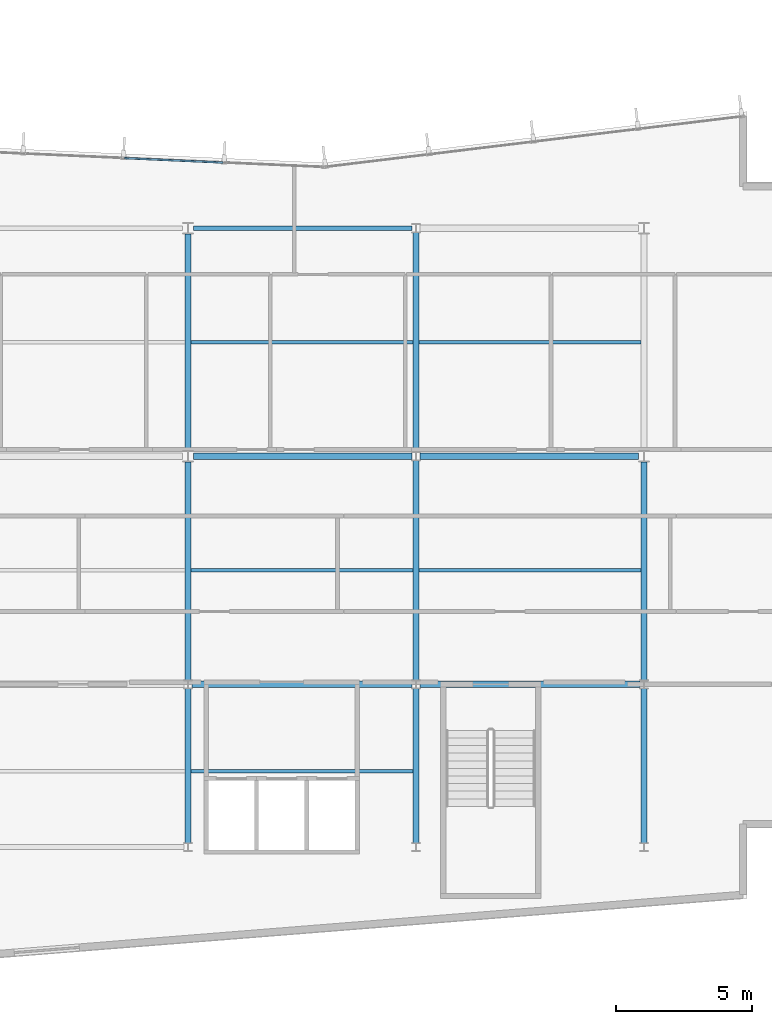
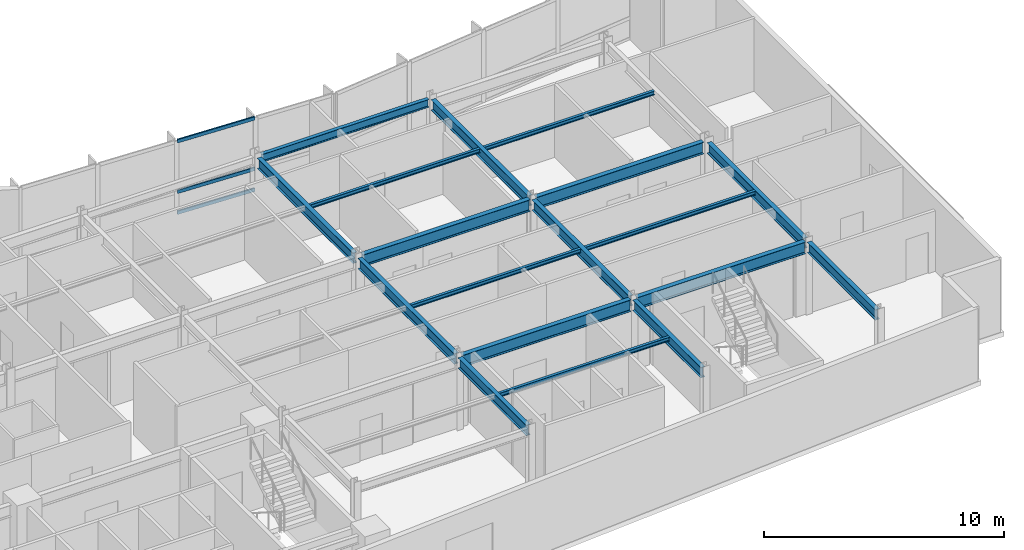
# One storey, part 6 of 18: 18 beams, 3 members, 1 element without a shape of its own.
"""IFC4 building model written with IfcOpenShell, lengths in metres."""

from ifc_helpers import new_model, si_unit, direction, frame, origin, origin_2d, place, context, subcontext, project, spatial, hollow_rectangle, i_section, extrude, material, layer, layer_set, material_profile, profile_set, type_object, element, aggregate, save


model = new_model("IFC4")

# Units and contexts
model_context = context("Model", 3, precision=1e-05, world=origin(), true_north=direction((0.0, 1.0)))
body_context = subcontext(model_context, "Body", "Model", "MODEL_VIEW")
ifc_project = project(units=[si_unit("LENGTHUNIT", "METRE"), si_unit("AREAUNIT", "SQUARE_METRE"), si_unit("VOLUMEUNIT", "CUBIC_METRE"), si_unit("PLANEANGLEUNIT", "RADIAN"), si_unit("MASSUNIT", "GRAM", prefix="KILO")], contexts=[model_context])

# Site, building, storey
site_placement = place(None, origin())
site = spatial("IfcSite", under=ifc_project, at=site_placement, CompositionType="ELEMENT")
building_placement = place(site_placement, origin())
building = spatial("IfcBuilding", under=site, at=building_placement, Name="Varnakote Quay Hospital", CompositionType="ELEMENT")
storey_placement = place(building_placement, frame((0.0, 0.0, 154.699951171875)))
storey = spatial("IfcBuildingStorey", under=building, at=storey_placement, Name="L38", CompositionType="ELEMENT", Elevation=154.699951171875)

# Beams
ifc_material_1 = material(Name="Structural steel AS/NZS 3679.1 Grade 350 L0 (fy 340 MPa)", Category="steel")
ifc_material_profile_1 = material_profile(ifc_material_1, i_section(OverallWidth=0.208984375, OverallDepth=0.532958984375, WebThickness=0.01025390625, FlangeThickness=0.015625, FilletRadius=0.013916015625, at=origin_2d()), Name="530UB92.4")
ifc_profile_set_1 = profile_set([ifc_material_profile_1], Name="Structural steel AS/NZS 3679.1 Grade 350 L0 (fy 340 MPa)")
beam_type_1 = type_object("IfcBeamType", Name="BM-STL-530UB92-4", PredefinedType="BEAM", material=ifc_profile_set_1)
beam_1_placement = place(storey_placement, frame((33.60009765625, 6.157470703125, 3.443603515625), z_axis=(0.0, 1.0, 0.0), x_axis=(-1.0, 0.0, 0.0)))
element("IfcBeam", 1, at=beam_1_placement, inside=storey, type_object=beam_type_1, Name="L38 Primary Tie Beam", PredefinedType="BEAM", context=body_context, shape_type="SweptSolid", body=[
    extrude(i_section(OverallWidth=0.208984375, OverallDepth=0.532958984375, WebThickness=0.01025390625, FlangeThickness=0.015625, FilletRadius=0.013916015625, at=origin_2d()), origin(), (0.0, 0.0, 1.0), 5.68505859375),
])
beam_2_placement = place(storey_placement, frame((33.60009765625, 12.157470703125, 3.443603515625), z_axis=(0.0, 1.0, 0.0), x_axis=(-1.0, 0.0, 0.0)))
element("IfcBeam", 2, at=beam_2_placement, inside=storey, type_object=beam_type_1, Name="L38 Primary Tie Beam", PredefinedType="BEAM", context=body_context, shape_type="SweptSolid", body=[
    extrude(i_section(OverallWidth=0.208984375, OverallDepth=0.532958984375, WebThickness=0.01025390625, FlangeThickness=0.015625, FilletRadius=0.013916015625, at=origin_2d()), origin(), (0.0, 0.0, 1.0), 8.032470703125),
])
beam_3_placement = place(storey_placement, frame((33.60009765625, 20.610107421875, 3.443603515625), z_axis=(0.0, 1.0, 0.0), x_axis=(-1.0, 0.0, 0.0)))
element("IfcBeam", 3, at=beam_3_placement, inside=storey, type_object=beam_type_1, Name="L38 Primary Tie Beam", PredefinedType="BEAM", context=body_context, shape_type="SweptSolid", body=[
    extrude(i_section(OverallWidth=0.208984375, OverallDepth=0.532958984375, WebThickness=0.01025390625, FlangeThickness=0.015625, FilletRadius=0.013916015625, at=origin_2d()), origin(), (0.0, 0.0, 1.0), 7.97998046875),
])
beam_4_placement = place(storey_placement, frame((42.0, 6.157470703125, 3.443603515625), z_axis=(0.0, 1.0, 0.0), x_axis=(-1.0, 0.0, 0.0)))
element("IfcBeam", 4, at=beam_4_placement, inside=storey, type_object=beam_type_1, Name="L38 Primary Tie Beam", PredefinedType="BEAM", context=body_context, shape_type="SweptSolid", body=[
    extrude(i_section(OverallWidth=0.208984375, OverallDepth=0.532958984375, WebThickness=0.01025390625, FlangeThickness=0.015625, FilletRadius=0.013916015625, at=origin_2d()), origin(), (0.0, 0.0, 1.0), 5.68505859375),
])
for number, where, z_axis, x_axis, name in (
    (5, (42.0, 12.157470703125, 3.443603515625), (0.0, 1.0, 0.0), (-1.0, 0.0, 0.0), "L38 Primary Tie Beam"),
    (6, (42.0, 20.5576171875, 3.443603515625), (0.0, 1.0, 0.0), (-1.0, 0.0, 0.0), "L38 Primary Tie Beam"),
):
    element("IfcBeam", number, at=place(storey_placement, frame(where, z_axis=z_axis, x_axis=x_axis)), inside=storey, type_object=beam_type_1, Name=name, PredefinedType="BEAM", context=body_context, shape_type="SweptSolid", body=[
        extrude(i_section(OverallWidth=0.208984375, OverallDepth=0.532958984375, WebThickness=0.01025390625, FlangeThickness=0.015625, FilletRadius=0.013916015625, at=origin_2d()), origin(), (0.0, 0.0, 1.0), 8.0849609375),
    ])
beam_5_placement = place(storey_placement, frame((50.39990234375, 6.157470703125, 3.443603515625), z_axis=(0.0, 1.0, 0.0), x_axis=(-1.0, 0.0, 0.0)))
element("IfcBeam", 7, at=beam_5_placement, inside=storey, type_object=beam_type_1, Name="L38 Primary Tie Beam", PredefinedType="BEAM", context=body_context, shape_type="SweptSolid", body=[
    extrude(i_section(OverallWidth=0.208984375, OverallDepth=0.532958984375, WebThickness=0.01025390625, FlangeThickness=0.015625, FilletRadius=0.013916015625, at=origin_2d()), origin(), (0.0, 0.0, 1.0), 5.68505859375),
])
beam_6_placement = place(storey_placement, frame((50.39990234375, 12.157470703125, 3.443603515625), z_axis=(0.0, 1.0, 0.0), x_axis=(-1.0, 0.0, 0.0)))
element("IfcBeam", 8, at=beam_6_placement, inside=storey, type_object=beam_type_1, Name="L38 Primary Tie Beam", PredefinedType="BEAM", context=body_context, shape_type="SweptSolid", body=[
    extrude(i_section(OverallWidth=0.208984375, OverallDepth=0.532958984375, WebThickness=0.01025390625, FlangeThickness=0.015625, FilletRadius=0.013916015625, at=origin_2d()), origin(), (0.0, 0.0, 1.0), 8.032470703125),
])
ifc_material_2 = material(Name="Structural steel AS/NZS 3679.1 Grade 350 L0 (fy 340 MPa)", Category="steel")
ifc_material_profile_2 = material_profile(ifc_material_2, i_section(OverallWidth=0.22802734375, OverallDepth=0.60205078125, WebThickness=0.010498046875, FlangeThickness=0.014892578125, FilletRadius=0.013916015625, at=origin_2d()), Name="610UB101")
ifc_profile_set_2 = profile_set([ifc_material_profile_2], Name="Structural steel AS/NZS 3679.1 Grade 350 L0 (fy 340 MPa)")
beam_type_2 = type_object("IfcBeamType", Name="BM-STL-610UB101", PredefinedType="BEAM", material=ifc_profile_set_2)
for number, where, z_axis, x_axis, name in (
    (9, (33.75341796875, 12.0, 3.408935546875), (1.0, 0.0, 0.0), (0.0, 1.0, 0.0), "L38 Primary Floor Beam"),
    (10, (42.153564453125, 12.0, 3.408935546875), (1.0, 0.0, 0.0), (0.0, 1.0, 0.0), "L38 Primary Floor Beam"),
):
    element("IfcBeam", number, at=place(storey_placement, frame(where, z_axis=z_axis, x_axis=x_axis)), inside=storey, type_object=beam_type_2, Name=name, PredefinedType="BEAM", context=body_context, shape_type="SweptSolid", body=[
        extrude(i_section(OverallWidth=0.22802734375, OverallDepth=0.60205078125, WebThickness=0.010498046875, FlangeThickness=0.014892578125, FilletRadius=0.013916015625, at=origin_2d()), origin(), (0.0, 0.0, 1.0), 8.093017578125),
    ])
for number, where, z_axis, x_axis, name in (
    (11, (33.800048828125, 20.39990234375, 3.408935546875), (1.0, 0.0, 0.0), (0.0, 1.0, 0.0), "L38 Primary Floor Beam"),
    (12, (42.153564453125, 20.39990234375, 3.408935546875), (1.0, 0.0, 0.0), (0.0, 1.0, 0.0), "L38 Primary Floor Beam"),
):
    element("IfcBeam", number, at=place(storey_placement, frame(where, z_axis=z_axis, x_axis=x_axis)), inside=storey, type_object=beam_type_2, Name=name, PredefinedType="BEAM", context=body_context, shape_type="SweptSolid", body=[
        extrude(i_section(OverallWidth=0.22802734375, OverallDepth=0.60205078125, WebThickness=0.010498046875, FlangeThickness=0.014892578125, FilletRadius=0.013916015625, at=origin_2d()), origin(), (0.0, 0.0, 1.0), 8.04638671875),
    ])

# Curtain wall, members
ifc_material_3 = material(Name="Anodised aluminium 6063-T6 Bronze", Category="aluminium")
ifc_layer = layer(ifc_material_3, 0.205078125)
ifc_layer_set = layer_set([ifc_layer], Name="Anodised aluminium 6063-T6 Bronze")
curtain_wall_type = type_object("IfcCurtainWallType", Name="CW-SYS-3", PredefinedType="NOTDEFINED", material=ifc_layer_set)
curtain_wall_placement = place(storey_placement, origin())
curtain_wall = element("IfcCurtainWall", 13, at=curtain_wall_placement, inside=storey, type_object=curtain_wall_type, Name="L38 Unitised Bronze Curtain Wall 2", PredefinedType="NOTDEFINED")
ifc_material_4 = material(Name="Anodised aluminium 6063-T6 Bronze", Category="aluminium")
ifc_material_profile_3 = material_profile(ifc_material_4, hollow_rectangle(XDim=0.074951171875, YDim=0.179931640625, WallThickness=0.004150390625, InnerFilletRadius=0.004150390625, OuterFilletRadius=0.00830078125, at=origin_2d()), Name="CW-TRAN-180x75")
ifc_profile_set_3 = profile_set([ifc_material_profile_3], Name="Anodised aluminium 6063-T6 Bronze")
member_type = type_object("IfcMemberType", Name="CW-TRAN-180x75", PredefinedType="USERDEFINED", material=ifc_profile_set_3)
member_1_placement = place(storey_placement, frame((34.8896484375, 31.21923828125, 0.03759765625), z_axis=(-0.99899730508, 0.044770352277, 0.0), x_axis=(-0.044770352277, -0.99899730508, 0.0)))
member_1 = element("IfcMember", 14, at=member_1_placement, type_object=member_type, Name="-3-L38-2 transom 2.1", ObjectType="TRANSOM", PredefinedType="USERDEFINED", context=body_context, shape_type="SweptSolid", body=[
    extrude(hollow_rectangle(XDim=0.074951171875, YDim=0.179931640625, WallThickness=0.004150390625, InnerFilletRadius=0.004150390625, OuterFilletRadius=0.00830078125, at=origin_2d()), origin(), (0.0, 0.0, 1.0), 3.6318359375),
])
member_2_placement = place(storey_placement, frame((34.8896484375, 31.21923828125, 1.10009765625), z_axis=(-0.99899730508, 0.044770352277, 0.0), x_axis=(-0.044770352277, -0.99899730508, 0.0)))
member_2 = element("IfcMember", 15, at=member_2_placement, type_object=member_type, Name="-3-L38-2 transom 2.2", ObjectType="TRANSOM", PredefinedType="USERDEFINED", context=body_context, shape_type="SweptSolid", body=[
    extrude(hollow_rectangle(XDim=0.074951171875, YDim=0.179931640625, WallThickness=0.004150390625, InnerFilletRadius=0.004150390625, OuterFilletRadius=0.00830078125, at=origin_2d()), origin(), (0.0, 0.0, 1.0), 3.6318359375),
])
member_3_placement = place(storey_placement, frame((34.8896484375, 31.21923828125, 3.672607421875), z_axis=(-0.99899730508, 0.044770352277, 0.0), x_axis=(-0.044770352277, -0.99899730508, 0.0)))
member_3 = element("IfcMember", 16, at=member_3_placement, type_object=member_type, Name="-3-L38-2 transom 2.3", ObjectType="TRANSOM", PredefinedType="USERDEFINED", context=body_context, shape_type="SweptSolid", body=[
    extrude(hollow_rectangle(XDim=0.074951171875, YDim=0.179931640625, WallThickness=0.004150390625, InnerFilletRadius=0.004150390625, OuterFilletRadius=0.00830078125, at=origin_2d()), origin(), (0.0, 0.0, 1.0), 3.6318359375),
])
aggregate(curtain_wall, [member_1, member_2, member_3])

# Beams
ifc_material_5 = material(Name="Structural steel AS/NZS 3679.1 Grade 350 L0 (fy 340 MPa)", Category="steel")
ifc_material_profile_4 = material_profile(ifc_material_5, i_section(OverallWidth=0.134033203125, OverallDepth=0.20703125, WebThickness=0.00634765625, FlangeThickness=0.009521484375, FilletRadius=0.0087890625, at=origin_2d()), Name="200UB29.8")
ifc_profile_set_4 = profile_set([ifc_material_profile_4], Name="Structural steel AS/NZS 3679.1 Grade 350 L0 (fy 340 MPa)")
beam_type_3 = type_object("IfcBeamType", Name="JST-STL-200UB29-8", PredefinedType="JOIST", material=ifc_profile_set_4)
for number, where, z_axis, x_axis, name in (
    (17, (33.70458984375, 8.800048828125, 3.6064453125), (1.0, 0.0, 0.0), (0.0, 1.0, 0.0), "L38 Composite Floor Joist"),
    (18, (33.70458984375, 16.199951171875, 3.6064453125), (1.0, 0.0, 0.0), (0.0, 1.0, 0.0), "L38 Composite Floor Joist"),
    (19, (42.1044921875, 16.199951171875, 3.6064453125), (1.0, 0.0, 0.0), (0.0, 1.0, 0.0), "L38 Composite Floor Joist"),
    (20, (33.70458984375, 24.60009765625, 3.6064453125), (1.0, 0.0, 0.0), (0.0, 1.0, 0.0), "L38 Composite Floor Joist"),
    (21, (42.1044921875, 24.60009765625, 3.6064453125), (1.0, 0.0, 0.0), (0.0, 1.0, 0.0), "L38 Composite Floor Joist"),
):
    element("IfcBeam", number, at=place(storey_placement, frame(where, z_axis=z_axis, x_axis=x_axis)), inside=storey, type_object=beam_type_3, Name=name, PredefinedType="JOIST", context=body_context, shape_type="SweptSolid", body=[
        extrude(i_section(OverallWidth=0.134033203125, OverallDepth=0.20703125, WebThickness=0.00634765625, FlangeThickness=0.009521484375, FilletRadius=0.0087890625, at=origin_2d()), origin(), (0.0, 0.0, 1.0), 8.19091796875),
    ])
ifc_material_6 = material(Name="Structural steel AS/NZS 3679.1 Grade 350 L0 (fy 340 MPa)", Category="steel")
ifc_material_profile_5 = material_profile(ifc_material_6, i_section(OverallWidth=0.177978515625, OverallDepth=0.406005859375, WebThickness=0.0078125, FlangeThickness=0.0126953125, FilletRadius=0.011474609375, at=origin_2d()), Name="410UB59.7")
ifc_profile_set_5 = profile_set([ifc_material_profile_5], Name="Structural steel AS/NZS 3679.1 Grade 350 L0 (fy 340 MPa)")
beam_type_4 = type_object("IfcBeamType", Name="SPN-STL-410UB59-7", PredefinedType="SPANDREL", material=ifc_profile_set_5)
beam_7_placement = place(storey_placement, frame((33.800048828125, 28.800048828125, 3.507080078125), z_axis=(1.0, 0.0, 0.0), x_axis=(0.0, 1.0, 0.0)))
element("IfcBeam", 22, at=beam_7_placement, inside=storey, type_object=beam_type_4, Name="L38 Perimeter Spandrel Beam", PredefinedType="SPANDREL", context=body_context, shape_type="SweptSolid", body=[
    extrude(i_section(OverallWidth=0.177978515625, OverallDepth=0.406005859375, WebThickness=0.0078125, FlangeThickness=0.0126953125, FilletRadius=0.011474609375, at=origin_2d()), origin(), (0.0, 0.0, 1.0), 8.04638671875),
])

save(model, "model.ifc")
